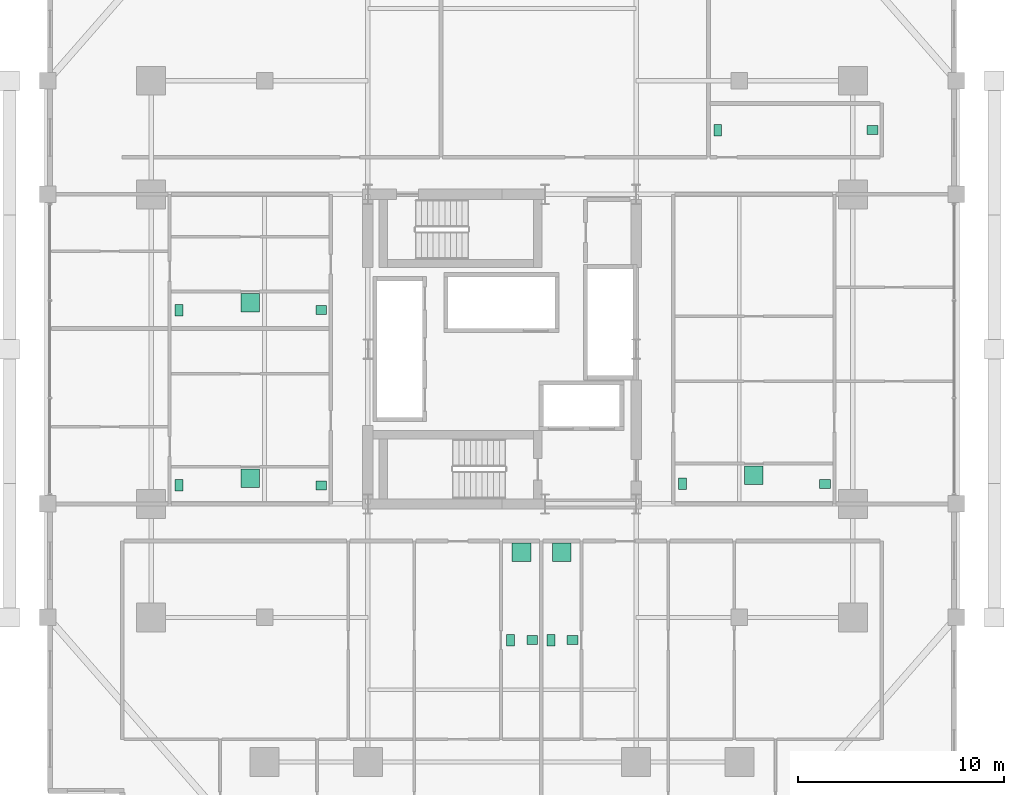
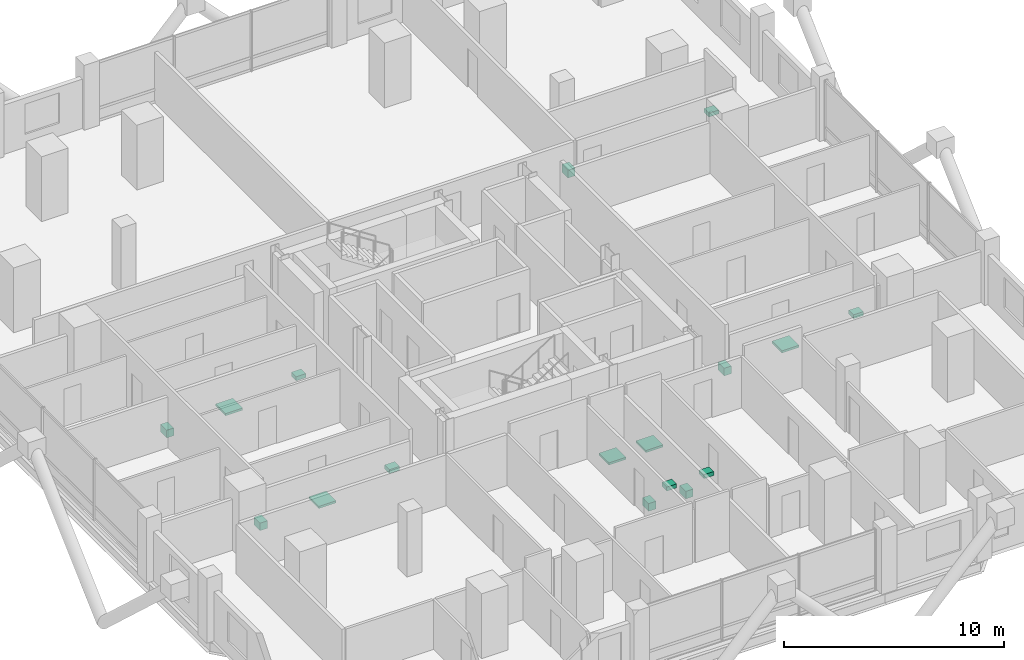
# One storey, part 23 of 23: 17 sanitary terminals.
"""IFC4 building model written with IfcOpenShell, lengths in metres."""

from ifc_helpers import new_model, si_unit, direction, frame, origin, origin_2d, place, context, subcontext, project, spatial, rectangle, extrude, material, type_object, element, save


model = new_model("IFC4")

# Units and contexts
model_context = context("Model", 3, precision=1e-05, world=origin(), true_north=direction((0.0, 1.0)))
body_context = subcontext(model_context, "Body", "Model", "MODEL_VIEW")
ifc_project = project(units=[si_unit("LENGTHUNIT", "METRE"), si_unit("AREAUNIT", "SQUARE_METRE"), si_unit("VOLUMEUNIT", "CUBIC_METRE"), si_unit("PLANEANGLEUNIT", "RADIAN"), si_unit("MASSUNIT", "GRAM", prefix="KILO")], contexts=[model_context])

# Site, building, storey
site_placement = place(None, origin())
site = spatial("IfcSite", under=ifc_project, at=site_placement, CompositionType="ELEMENT")
building_placement = place(site_placement, origin())
building = spatial("IfcBuilding", under=site, at=building_placement, Name="Barlavira Tower and Art Museum", CompositionType="ELEMENT")
storey_placement = place(building_placement, frame((0.0, 0.0, 36.0)))
storey = spatial("IfcBuildingStorey", under=building, at=storey_placement, Name="L07", CompositionType="ELEMENT", Elevation=36.0)

# Sanitary terminals
ifc_material = material(Name="Vitreous glazed ceramic", Category="ceramic")
sanitary_terminal_type_1 = type_object("IfcSanitaryTerminalType", Name="Countertop Ceramic Wash Hand Basin", PredefinedType="WASHHANDBASIN", material=ifc_material)
for number, where, z_axis, x_axis, name in (
    (1, (1.469970703125, -14.10009765625, 0.740234375), (0.0, 0.0, 1.0), (1.0, 0.0, 0.0), "L07-S1-BTH1 Wash Basin"),
    (2, (3.419921875, -14.10009765625, 0.740234375), (0.0, 0.0, 1.0), (1.0, 0.0, 0.0), "L07-S2-BTH1 Wash Basin"),
    (3, (17.949951171875, 10.610107421875, 0.740234375), (0.0, 0.0, 1.0), (1.0, 0.0, 0.0), "L07-N-SWC Wash Basin"),
    (4, (-8.75, -6.60009765625, 0.740234375), (0.0, 0.0, 1.0), (1.0, 0.0, 0.0), "L07-W1-BTH1 Wash Basin"),
    (5, (-8.75, 1.889892578125, 0.740234375), (0.0, 0.0, 1.0), (1.0, 0.0, 0.0), "L07-W2-BTH1 Wash Basin"),
    (6, (15.64990234375, -6.52490234375, 0.740234375), (0.0, 0.0, 1.0), (1.0, 0.0, 0.0), "L07-E1-BTH1 Wash Basin"),
):
    element("IfcSanitaryTerminal", number, at=place(storey_placement, frame(where, z_axis=z_axis, x_axis=x_axis)), inside=storey, type_object=sanitary_terminal_type_1, Name=name, PredefinedType="WASHHANDBASIN", context=body_context, shape_type="SweptSolid", body=[
        extrude(rectangle(XDim=0.52001953125, YDim=0.43994140625, at=origin_2d()), origin(), (0.0, 0.0, 1.0), 0.219970703125),
    ])
sanitary_terminal_type_2 = type_object("IfcSanitaryTerminalType", Name="Walk-In Thermostatic Rain Shower Unit", PredefinedType="SHOWER", material=ifc_material)
for number, where, z_axis, x_axis, name in (
    (7, (0.945068359375, -9.85009765625, 0.0), (0.0, 0.0, 1.0), (1.0, 0.0, 0.0), "L07-S1-BTH1 Rain Shower"),
    (8, (2.89501953125, -9.85009765625, 0.0), (0.0, 0.0, 1.0), (1.0, 0.0, 0.0), "L07-S2-BTH1 Rain Shower"),
    (9, (-12.199951171875, -6.25, 0.0), (0.0, 0.0, 1.0), (1.0, 0.0, 0.0), "L07-W1-BTH1 Rain Shower"),
    (10, (-12.199951171875, 2.239990234375, 0.0), (0.0, 0.0, 1.0), (1.0, 0.0, 0.0), "L07-W2-BTH1 Rain Shower"),
    (11, (12.199951171875, -6.10009765625, 0.0), (0.0, 0.0, 1.0), (1.0, 0.0, 0.0), "L07-E1-BTH1 Rain Shower"),
):
    element("IfcSanitaryTerminal", number, at=place(storey_placement, frame(where, z_axis=z_axis, x_axis=x_axis)), inside=storey, type_object=sanitary_terminal_type_2, Name=name, PredefinedType="SHOWER", context=body_context, shape_type="SweptSolid", body=[
        extrude(rectangle(XDim=0.89990234375, YDim=0.89990234375, at=origin_2d()), origin(), (0.0, 0.0, 1.0), 0.1201171875),
    ])
sanitary_terminal_type_3 = type_object("IfcSanitaryTerminalType", Name="Wall-Hung Dual-Flush Vitreous WC Pan", PredefinedType="TOILETPAN", material=ifc_material)
for number, where, z_axis, x_axis, name in (
    (12, (0.419921875, -14.10009765625, 0.0), (0.0, 0.0, 1.0), (1.0, 0.0, 0.0), "L07-S1-BTH1 WC Pan"),
    (13, (2.3701171875, -14.10009765625, 0.0), (0.0, 0.0, 1.0), (1.0, 0.0, 0.0), "L07-S2-BTH1 WC Pan"),
    (14, (10.449951171875, 10.610107421875, 0.0), (0.0, 0.0, 1.0), (1.0, 0.0, 0.0), "L07-N-SWC WC Pan"),
    (15, (-15.64990234375, -6.60009765625, 0.0), (0.0, 0.0, 1.0), (1.0, 0.0, 0.0), "L07-W1-BTH1 WC Pan"),
    (16, (-15.64990234375, 1.889892578125, 0.0), (0.0, 0.0, 1.0), (1.0, 0.0, 0.0), "L07-W2-BTH1 WC Pan"),
    (17, (8.75, -6.52490234375, 0.0), (0.0, 0.0, 1.0), (1.0, 0.0, 0.0), "L07-E1-BTH1 WC Pan"),
):
    element("IfcSanitaryTerminal", number, at=place(storey_placement, frame(where, z_axis=z_axis, x_axis=x_axis)), inside=storey, type_object=sanitary_terminal_type_3, Name=name, PredefinedType="TOILETPAN", context=body_context, shape_type="SweptSolid", body=[
        extrude(rectangle(XDim=0.3798828125, YDim=0.56005859375, at=origin_2d()), origin(), (0.0, 0.0, 1.0), 0.419921875),
    ])

save(model, "model.ifc")
